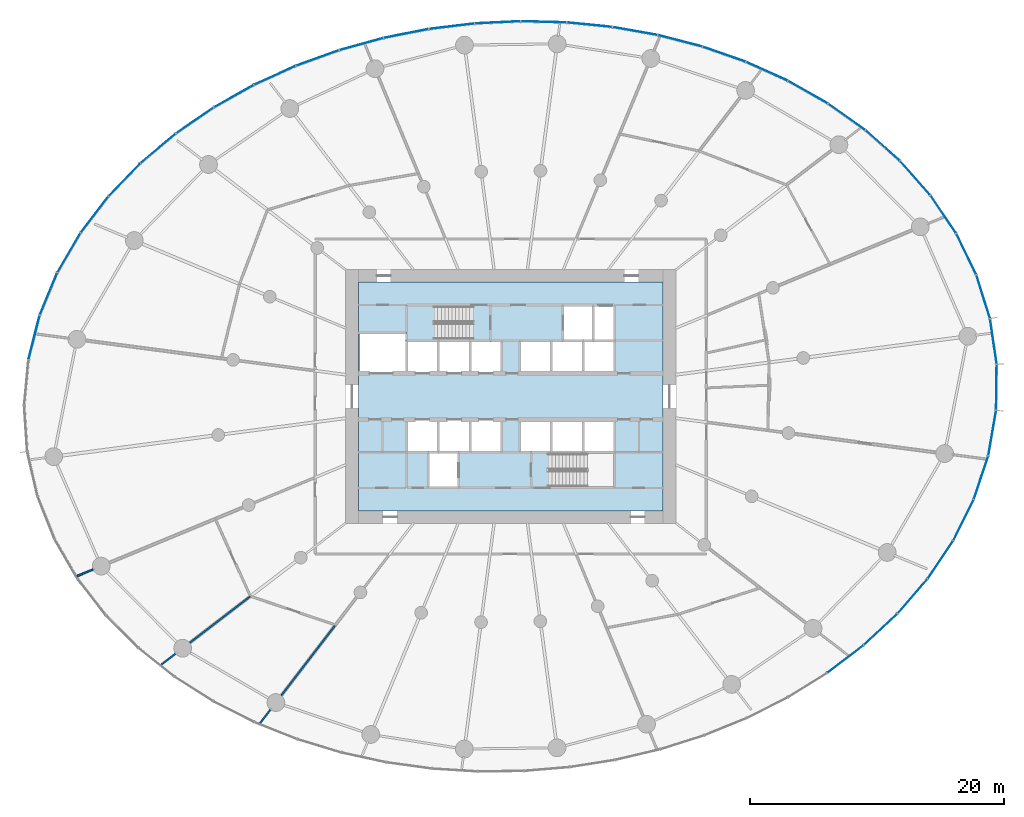
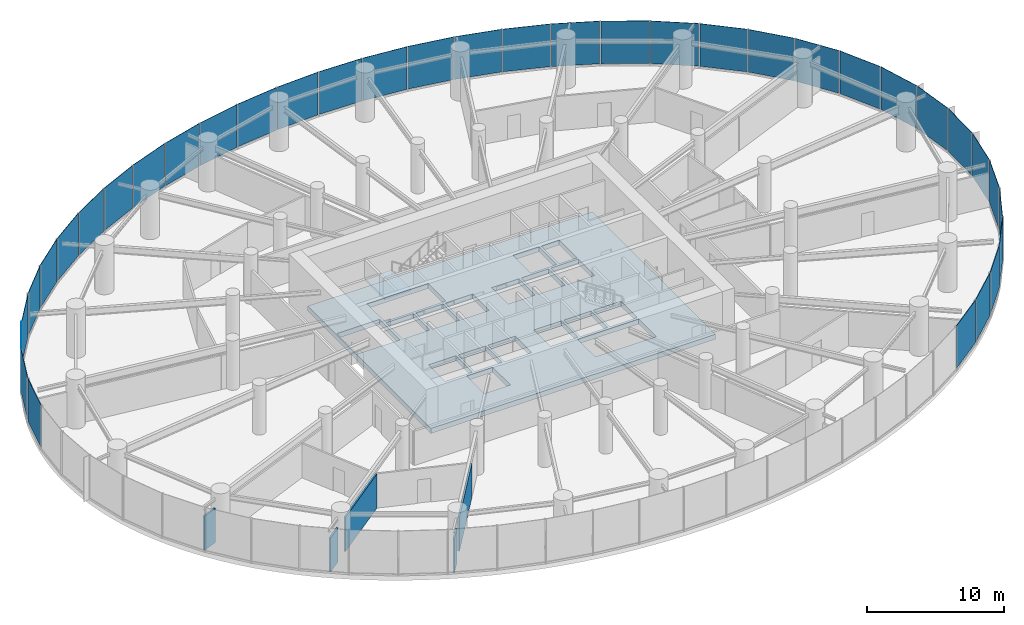
# One storey, part 11 of 19: 36 plates, 5 walls, 2 slabs, 8 elements without a shape of their own.
"""IFC4 building model written with IfcOpenShell, lengths in metres."""

from ifc_helpers import new_model, si_unit, direction, frame, frame_2d, origin, origin_2d, place, context, subcontext, project, spatial, line, indexed_curve, rectangle, outline, extrude, source, transform, mapped, material, layer, layer_set, type_object, element, aggregate, save


model = new_model("IFC4")

# Units and contexts
model_context = context("Model", 3, precision=1e-05, world=origin(), true_north=direction((0.0, 1.0)))
body_context = subcontext(model_context, "Body", "Model", "MODEL_VIEW")
ifc_project = project(units=[si_unit("LENGTHUNIT", "METRE"), si_unit("AREAUNIT", "SQUARE_METRE"), si_unit("VOLUMEUNIT", "CUBIC_METRE"), si_unit("PLANEANGLEUNIT", "RADIAN"), si_unit("MASSUNIT", "GRAM", prefix="KILO")], contexts=[model_context])

# Site, building, storey
site_placement = place(None, origin())
site = spatial("IfcSite", under=ifc_project, at=site_placement, CompositionType="ELEMENT")
building_placement = place(site_placement, origin())
building = spatial("IfcBuilding", under=site, at=building_placement, Name="Spindrift Exchange Tower", CompositionType="ELEMENT")
storey_placement = place(building_placement, frame((0.0, 0.0, 31.39990234375)))
storey = spatial("IfcBuildingStorey", under=building, at=storey_placement, Name="L07", CompositionType="ELEMENT", Elevation=31.39990234375)

# Slab
ifc_material_1 = material(Name="Concrete 50 MPa", Category="concrete")
ifc_layer_1 = layer(ifc_material_1, 0.449951171875)
ifc_layer_set_1 = layer_set([ifc_layer_1], Name="SL-CORE-FLOOR-450")
slab_type_1 = type_object("IfcSlabType", Name="SL-CORE-FLOOR-450", PredefinedType="FLOOR", material=ifc_layer_set_1)
slab_1_placement = place(storey_placement, frame((0.0, 0.0, -0.449951171875)))
element("IfcSlab", 1, at=slab_1_placement, inside=storey, type_object=slab_type_1, Name="L07 Core floor slab", PredefinedType="FLOOR", context=body_context, shape_type="SweptSolid", body=[
    extrude(outline(indexed_curve([(40.0, 39.0), (40.0, 57.0), (64.0, 57.0), (64.0, 39.0)], segments=[line(1, 2, 3, 4, 1)], self_intersect=False), holes=[indexed_curve([(47.800048828125, 43.5), (45.60009765625, 43.5), (45.60009765625, 40.89990234375), (47.800048828125, 40.89990234375)], segments=[line(1, 2, 3, 4, 1)], self_intersect=False), indexed_curve([(46.199951171875, 46.10009765625), (43.89990234375, 46.10009765625), (43.89990234375, 43.699951171875), (46.199951171875, 43.699951171875)], segments=[line(1, 2, 3, 4, 1)], self_intersect=False), indexed_curve([(48.699951171875, 46.10009765625), (46.39990234375, 46.10009765625), (46.39990234375, 43.699951171875), (48.699951171875, 43.699951171875)], segments=[line(1, 2, 3, 4, 1)], self_intersect=False), indexed_curve([(51.199951171875, 46.10009765625), (48.89990234375, 46.10009765625), (48.89990234375, 43.699951171875), (51.199951171875, 43.699951171875)], segments=[line(1, 2, 3, 4, 1)], self_intersect=False), indexed_curve([(46.199951171875, 52.300048828125), (43.89990234375, 52.300048828125), (43.89990234375, 49.89990234375), (46.199951171875, 49.89990234375)], segments=[line(1, 2, 3, 4, 1)], self_intersect=False), indexed_curve([(48.699951171875, 52.300048828125), (46.39990234375, 52.300048828125), (46.39990234375, 49.89990234375), (48.699951171875, 49.89990234375)], segments=[line(1, 2, 3, 4, 1)], self_intersect=False), indexed_curve([(51.199951171875, 52.300048828125), (48.89990234375, 52.300048828125), (48.89990234375, 49.89990234375), (51.199951171875, 49.89990234375)], segments=[line(1, 2, 3, 4, 1)], self_intersect=False), indexed_curve([(43.699951171875, 49.89990234375), (43.699951171875, 52.89990234375), (40.10009765625, 52.89990234375), (40.10009765625, 49.89990234375)], segments=[line(1, 2, 3, 4, 1)], self_intersect=False), indexed_curve([(49.0439453125, 55.093994140625), (43.906005859375, 55.093994140625), (43.906005859375, 52.506103515625), (49.0439453125, 52.506103515625)], segments=[line(1, 2, 3, 4, 1)], self_intersect=False), indexed_curve([(60.093994140625, 40.906005859375), (60.093994140625, 43.493896484375), (54.9560546875, 43.493896484375), (54.9560546875, 40.906005859375)], segments=[line(1, 2, 3, 4, 1)], self_intersect=False), indexed_curve([(55.10009765625, 46.10009765625), (52.800048828125, 46.10009765625), (52.800048828125, 43.699951171875), (55.10009765625, 43.699951171875)], segments=[line(1, 2, 3, 4, 1)], self_intersect=False), indexed_curve([(57.60009765625, 46.10009765625), (55.300048828125, 46.10009765625), (55.300048828125, 43.699951171875), (57.60009765625, 43.699951171875)], segments=[line(1, 2, 3, 4, 1)], self_intersect=False), indexed_curve([(60.10009765625, 46.10009765625), (57.800048828125, 46.10009765625), (57.800048828125, 43.699951171875), (60.10009765625, 43.699951171875)], segments=[line(1, 2, 3, 4, 1)], self_intersect=False), indexed_curve([(55.10009765625, 52.300048828125), (52.800048828125, 52.300048828125), (52.800048828125, 49.89990234375), (55.10009765625, 49.89990234375)], segments=[line(1, 2, 3, 4, 1)], self_intersect=False), indexed_curve([(57.60009765625, 52.300048828125), (55.300048828125, 52.300048828125), (55.300048828125, 49.89990234375), (57.60009765625, 49.89990234375)], segments=[line(1, 2, 3, 4, 1)], self_intersect=False), indexed_curve([(60.10009765625, 52.300048828125), (57.800048828125, 52.300048828125), (57.800048828125, 49.89990234375), (60.10009765625, 49.89990234375)], segments=[line(1, 2, 3, 4, 1)], self_intersect=False), indexed_curve([(58.39990234375, 52.5), (58.39990234375, 55.10009765625), (56.199951171875, 55.10009765625), (56.199951171875, 52.5)], segments=[line(1, 2, 3, 4, 1)], self_intersect=False), indexed_curve([(60.10009765625, 52.5), (60.10009765625, 55.10009765625), (58.60009765625, 55.10009765625), (58.60009765625, 52.5)], segments=[line(1, 2, 3, 4, 1)], self_intersect=False)]), origin(), (0.0, 0.0, 1.0), 0.449951171875),
])

# Stair, slab
stair_type = type_object("IfcStairType", Name="ST-1250-R183", PredefinedType="HALF_TURN_STAIR", material=ifc_material_1)
stair_placement = place(storey_placement, origin())
stair = element("IfcStair", 2, at=stair_placement, inside=storey, type_object=stair_type, Name="L07 Exit stair ST1", PredefinedType="HALF_TURN_STAIR")
ifc_layer_2 = layer(ifc_material_1, 0.199951171875)
ifc_layer_set_2 = layer_set([ifc_layer_2], Name="SL-LANDING")
slab_type_2 = type_object("IfcSlabType", Name="SL-LANDING", PredefinedType="LANDING", material=ifc_layer_set_2)
slab_2_placement = place(storey_placement, frame((0.0, 0.0, 2.0)))
slab_2 = element("IfcSlab", 3, at=slab_2_placement, type_object=slab_type_2, Name="ST1 landing 1", PredefinedType="LANDING", context=body_context, shape_type="SweptSolid", body=[
    extrude(outline(indexed_curve([(46.050048828125, 52.39990234375), (43.800048828125, 52.39990234375), (43.800048828125, 55.199951171875), (46.050048828125, 55.199951171875)], segments=[line(1, 2, 3, 4, 1)], self_intersect=False)), origin(), (0.0, 0.0, 1.0), 0.2001953125),
])
aggregate(stair, [slab_2])

# Curtain wall, plates
ifc_material_2 = material(Name="Fritted laminated glass with bronze frame", Category="glass")
ifc_layer_3 = layer(ifc_material_2, 0.199951171875)
ifc_layer_set_3 = layer_set([ifc_layer_3], Name="ZONE 1 BRONZE FRITTED WALL")
curtain_wall_type = type_object("IfcCurtainWallType", Name="ZONE 1 BRONZE FRITTED WALL", PredefinedType="NOTDEFINED", material=ifc_layer_set_3)
curtain_wall_1_placement = place(storey_placement, origin())
curtain_wall_1 = element("IfcCurtainWall", 4, at=curtain_wall_1_placement, inside=storey, type_object=curtain_wall_type, Name="L07 Zone 1 Bronze Fritted Wall run 1", PredefinedType="NOTDEFINED")
ifc_material_3 = material(Name="Bronze fritted laminated glass, dense frit", Category="glass")
ifc_layer_4 = layer(ifc_material_3, 0.035888671875)
ifc_layer_set_4 = layer_set([ifc_layer_4], Name="ZONE 1 BRONZE FRITTED WALL PANEL DENSE FRIT 420")
plate_type_1 = type_object("IfcPlateType", Name="ZONE 1 BRONZE FRITTED WALL PANEL DENSE FRIT 420", PredefinedType="CURTAIN_PANEL", material=ifc_layer_set_4)
shared_shape_1 = source(origin(), body_context, "Body", "SweptSolid", [
    extrude(rectangle(XDim=3.544189453125, YDim=0.035888671875, at=origin_2d()), origin(), (0.0, 0.0, 1.0), 3.800048828125),
])
plate_1_placement = place(storey_placement, frame((90.003173828125, 52.323974609375, 0.14990234375), z_axis=(0.0, 0.0, 1.0), x_axis=(-0.145268021082, 0.989392339798, 0.0)))
plate_1 = element("IfcPlate", 5, at=plate_1_placement, type_object=plate_type_1, Name="L07 panel CW-1.1", PredefinedType="CURTAIN_PANEL", context=body_context, shape_type="MappedRepresentation", body=[
    mapped(shared_shape_1, transform((0.0, 0.0, 0.0), scale=1.0)),
])
shared_shape_2 = source(origin(), body_context, "Body", "SweptSolid", [
    extrude(rectangle(XDim=3.544677734375, YDim=0.035888671875, at=origin_2d()), origin(), (0.0, 0.0, 1.0), 3.800048828125),
])
plate_2_placement = place(storey_placement, frame((89.199462890625, 55.8466796875, 0.14990234375), z_axis=(0.0, 0.0, 1.0), x_axis=(-0.298267919189, 0.954482188615, 0.0)))
plate_2 = element("IfcPlate", 6, at=plate_2_placement, type_object=plate_type_1, Name="L07 panel CW-1.2", PredefinedType="CURTAIN_PANEL", context=body_context, shape_type="MappedRepresentation", body=[
    mapped(shared_shape_2, transform((0.0, 0.0, 0.0), scale=1.0)),
])

# Curtain wall, plate
curtain_wall_2_placement = place(storey_placement, origin())
curtain_wall_2 = element("IfcCurtainWall", 7, at=curtain_wall_2_placement, inside=storey, type_object=curtain_wall_type, Name="L07 Zone 1 Bronze Fritted Wall run 10", PredefinedType="NOTDEFINED")
plate_3_placement = place(storey_placement, frame((89.90869140625, 45.12109375, 0.14990234375), z_axis=(0.0, 0.0, 1.0), x_axis=(0.169948074273, 0.985453018693, 0.0)))
plate_3 = element("IfcPlate", 8, at=plate_3_placement, type_object=plate_type_1, Name="L07 panel CW-1.58", PredefinedType="CURTAIN_PANEL", context=body_context, shape_type="MappedRepresentation", body=[
    mapped(shared_shape_2, transform((0.0, 0.0, 0.0), scale=1.0)),
])

# Plate
ifc_layer_5 = layer(ifc_material_3, 0.035888671875)
ifc_layer_set_5 = layer_set([ifc_layer_5], Name="ZONE 1 BRONZE FRITTED WALL PANEL DENSE FRIT 180")
plate_type_2 = type_object("IfcPlateType", Name="ZONE 1 BRONZE FRITTED WALL PANEL DENSE FRIT 180", PredefinedType="CURTAIN_PANEL", material=ifc_layer_set_5)
shared_shape_3 = source(origin(), body_context, "Body", "SweptSolid", [
    extrude(rectangle(XDim=3.5458984375, YDim=0.035888671875, at=origin_2d()), origin(), (0.0, 0.0, 1.0), 3.800048828125),
])
plate_4_placement = place(storey_placement, frame((83.84033203125, 65.197509765625, 0.14990234375), z_axis=(0.0, 0.0, 1.0), x_axis=(-0.662655341187, 0.748924494723, 0.0)))
plate_4 = element("IfcPlate", 9, at=plate_4_placement, type_object=plate_type_2, Name="L07 panel CW-1.5", PredefinedType="CURTAIN_PANEL", context=body_context, shape_type="MappedRepresentation", body=[
    mapped(shared_shape_3, transform((0.0, 0.0, 0.0), scale=1.0)),
])

ifc_layer_6 = layer(ifc_material_3, 0.035888671875)
ifc_layer_set_6 = layer_set([ifc_layer_6], Name="ZONE 1 BRONZE FRITTED WALL PANEL DENSE FRIT 300")
plate_type_3 = type_object("IfcPlateType", Name="ZONE 1 BRONZE FRITTED WALL PANEL DENSE FRIT 300", PredefinedType="CURTAIN_PANEL", material=ifc_layer_set_6)
shared_shape_4 = source(origin(), body_context, "Body", "SweptSolid", [
    extrude(rectangle(XDim=3.54638671875, YDim=0.035888671875, at=origin_2d()), origin(), (0.0, 0.0, 1.0), 3.800048828125),
])
plate_5_placement = place(storey_placement, frame((81.284423828125, 67.76025390625, 0.14990234375), z_axis=(0.0, 0.0, 1.0), x_axis=(-0.747104738963, 0.664706332917, 0.0)))
plate_5 = element("IfcPlate", 10, at=plate_5_placement, type_object=plate_type_3, Name="L07 panel CW-1.6", PredefinedType="CURTAIN_PANEL", context=body_context, shape_type="MappedRepresentation", body=[
    mapped(shared_shape_4, transform((0.0, 0.0, 0.0), scale=1.0)),
])

# Curtain wall, plate
curtain_wall_3_placement = place(storey_placement, origin())
curtain_wall_3 = element("IfcCurtainWall", 11, at=curtain_wall_3_placement, inside=storey, type_object=curtain_wall_type, Name="L07 Zone 1 Bronze Fritted Wall run 4", PredefinedType="NOTDEFINED")
plate_6_placement = place(storey_placement, frame((21.587890625, 65.06982421875, 0.14990234375), z_axis=(0.0, 0.0, 1.0), x_axis=(-0.694321824554, -0.719664646865, 0.0)))
plate_6 = element("IfcPlate", 12, at=plate_6_placement, type_object=plate_type_3, Name="L07 panel CW-1.24", PredefinedType="CURTAIN_PANEL", context=body_context, shape_type="MappedRepresentation", body=[
    mapped(shared_shape_4, transform((0.0, 0.0, 0.0), scale=1.0)),
])

curtain_wall_4_placement = place(storey_placement, origin())
curtain_wall_4 = element("IfcCurtainWall", 13, at=curtain_wall_4_placement, inside=storey, type_object=curtain_wall_type, Name="L07 Zone 1 Bronze Fritted Wall run 2", PredefinedType="NOTDEFINED")
shared_shape_5 = source(origin(), body_context, "Body", "SweptSolid", [
    extrude(rectangle(XDim=3.547119140625, YDim=0.035888671875, at=origin_2d()), origin(), (0.0, 0.0, 1.0), 3.800048828125),
])
plate_7_placement = place(storey_placement, frame((72.167236328125, 73.603759765625, 0.14990234375), z_axis=(0.0, 0.0, 1.0), x_axis=(-0.911599249428, 0.411080051137, 0.0)))
plate_7 = element("IfcPlate", 14, at=plate_7_placement, type_object=plate_type_1, Name="L07 panel CW-1.9", PredefinedType="CURTAIN_PANEL", context=body_context, shape_type="MappedRepresentation", body=[
    mapped(shared_shape_5, transform((0.0, 0.0, 0.0), scale=1.0)),
])

# Plate
plate_8_placement = place(storey_placement, frame((30.196044921875, 71.646728515625, 0.14990234375), z_axis=(0.0, 0.0, 1.0), x_axis=(-0.872056460131, -0.489405282301, 0.0)))
plate_8 = element("IfcPlate", 15, at=plate_8_placement, type_object=plate_type_1, Name="L07 panel CW-1.21", PredefinedType="CURTAIN_PANEL", context=body_context, shape_type="MappedRepresentation", body=[
    mapped(shared_shape_5, transform((0.0, 0.0, 0.0), scale=1.0)),
])

plate_9_placement = place(storey_placement, frame((27.119384765625, 69.73291015625, 0.14990234375), z_axis=(0.0, 0.0, 1.0), x_axis=(-0.824457217137, -0.56592428567, 0.0)))
plate_9 = element("IfcPlate", 16, at=plate_9_placement, type_object=plate_type_1, Name="L07 panel CW-1.22", PredefinedType="CURTAIN_PANEL", context=body_context, shape_type="MappedRepresentation", body=[
    mapped(shared_shape_5, transform((0.0, 0.0, 0.0), scale=1.0)),
])

shared_shape_6 = source(origin(), body_context, "Body", "SweptSolid", [
    extrude(rectangle(XDim=3.547119140625, YDim=0.035888671875, at=origin_2d()), origin(), (0.0, 0.0, 1.0), 3.800048828125),
])
plate_10_placement = place(storey_placement, frame((68.80224609375, 74.947998046875, 0.14990234375), z_axis=(0.0, 0.0, 1.0), x_axis=(-0.943964086821, 0.33004818253, 0.0)))
plate_10 = element("IfcPlate", 17, at=plate_10_placement, type_object=plate_type_3, Name="L07 panel CW-1.10", PredefinedType="CURTAIN_PANEL", context=body_context, shape_type="MappedRepresentation", body=[
    mapped(shared_shape_6, transform((0.0, 0.0, 0.0), scale=1.0)),
])

plate_11_placement = place(storey_placement, frame((33.4287109375, 73.284912109375, 0.14990234375), z_axis=(0.0, 0.0, 1.0), x_axis=(-0.910331480947, -0.413879927994, 0.0)))
plate_11 = element("IfcPlate", 18, at=plate_11_placement, type_object=plate_type_3, Name="L07 panel CW-1.20", PredefinedType="CURTAIN_PANEL", context=body_context, shape_type="MappedRepresentation", body=[
    mapped(shared_shape_6, transform((0.0, 0.0, 0.0), scale=1.0)),
])

# Curtain wall, plates
curtain_wall_5_placement = place(storey_placement, origin())
curtain_wall_5 = element("IfcCurtainWall", 19, at=curtain_wall_5_placement, inside=storey, type_object=curtain_wall_type, Name="L07 Zone 1 Bronze Fritted Wall run 3", PredefinedType="NOTDEFINED")
shared_shape_7 = source(origin(), body_context, "Body", "SweptSolid", [
    extrude(rectangle(XDim=3.54736328125, YDim=0.035888671875, at=origin_2d()), origin(), (0.0, 0.0, 1.0), 3.800048828125),
])
plate_12_placement = place(storey_placement, frame((58.202880859375, 77.269775390625, 0.14990234375), z_axis=(0.0, 0.0, 1.0), x_axis=(-0.995073927573, 0.099135657888, 0.0)))
plate_12 = element("IfcPlate", 20, at=plate_12_placement, type_object=plate_type_3, Name="L07 panel CW-1.13", PredefinedType="CURTAIN_PANEL", context=body_context, shape_type="MappedRepresentation", body=[
    mapped(shared_shape_7, transform((0.0, 0.0, 0.0), scale=1.0)),
])
plate_13_placement = place(storey_placement, frame((50.960205078125, 77.454345703125, 0.14990234375), z_axis=(0.0, 0.0, 1.0), x_axis=(-0.998855409711, -0.047831689184, 0.0)))
plate_13 = element("IfcPlate", 21, at=plate_13_placement, type_object=plate_type_3, Name="L07 panel CW-1.15", PredefinedType="CURTAIN_PANEL", context=body_context, shape_type="MappedRepresentation", body=[
    mapped(shared_shape_7, transform((0.0, 0.0, 0.0), scale=1.0)),
])
plate_14_placement = place(storey_placement, frame((40.239990234375, 75.74853515625, 0.14990234375), z_axis=(0.0, 0.0, 1.0), x_axis=(-0.964016105729, -0.265843841184, 0.0)))
plate_14 = element("IfcPlate", 22, at=plate_14_placement, type_object=plate_type_3, Name="L07 panel CW-1.18", PredefinedType="CURTAIN_PANEL", context=body_context, shape_type="MappedRepresentation", body=[
    mapped(shared_shape_7, transform((0.0, 0.0, 0.0), scale=1.0)),
])

# Plate
shared_shape_8 = source(origin(), body_context, "Body", "SweptSolid", [
    extrude(rectangle(XDim=3.54736328125, YDim=0.035888671875, at=origin_2d()), origin(), (0.0, 0.0, 1.0), 3.800048828125),
])
plate_15_placement = place(storey_placement, frame((65.334716796875, 76.001953125, 0.14990234375), z_axis=(0.0, 0.0, 1.0), x_axis=(-0.967934035417, 0.2512045045, 0.0)))
plate_15 = element("IfcPlate", 23, at=plate_15_placement, type_object=plate_type_2, Name="L07 panel CW-1.11", PredefinedType="CURTAIN_PANEL", context=body_context, shape_type="MappedRepresentation", body=[
    mapped(shared_shape_8, transform((0.0, 0.0, 0.0), scale=1.0)),
])

shared_shape_9 = source(origin(), body_context, "Body", "SweptSolid", [
    extrude(rectangle(XDim=3.54736328125, YDim=0.035888671875, at=origin_2d()), origin(), (0.0, 0.0, 1.0), 3.800048828125),
])
plate_16_placement = place(storey_placement, frame((61.79345703125, 76.773681640625, 0.14990234375), z_axis=(0.0, 0.0, 1.0), x_axis=(-0.98468445804, 0.174345972407, 0.0)))
plate_16 = element("IfcPlate", 24, at=plate_16_placement, type_object=plate_type_1, Name="L07 panel CW-1.12", PredefinedType="CURTAIN_PANEL", context=body_context, shape_type="MappedRepresentation", body=[
    mapped(shared_shape_9, transform((0.0, 0.0, 0.0), scale=1.0)),
])

plate_17_placement = place(storey_placement, frame((43.767822265625, 76.580810546875, 0.14990234375), z_axis=(0.0, 0.0, 1.0), x_axis=(-0.981203515269, -0.192975805797, 0.0)))
plate_17 = element("IfcPlate", 25, at=plate_17_placement, type_object=plate_type_1, Name="L07 panel CW-1.17", PredefinedType="CURTAIN_PANEL", context=body_context, shape_type="MappedRepresentation", body=[
    mapped(shared_shape_9, transform((0.0, 0.0, 0.0), scale=1.0)),
])

plate_18_placement = place(storey_placement, frame((36.785400390625, 74.65087890625, 0.14990234375), z_axis=(0.0, 0.0, 1.0), x_axis=(-0.940651756385, -0.339373353711, 0.0)))
plate_18 = element("IfcPlate", 26, at=plate_18_placement, type_object=plate_type_1, Name="L07 panel CW-1.19", PredefinedType="CURTAIN_PANEL", context=body_context, shape_type="MappedRepresentation", body=[
    mapped(shared_shape_9, transform((0.0, 0.0, 0.0), scale=1.0)),
])

# Curtain wall, plate
curtain_wall_6_placement = place(storey_placement, origin())
curtain_wall_6 = element("IfcCurtainWall", 27, at=curtain_wall_6_placement, inside=storey, type_object=curtain_wall_type, Name="L07 Zone 1 Bronze Fritted Wall run 9", PredefinedType="NOTDEFINED")
shared_shape_10 = source(origin(), body_context, "Body", "SweptSolid", [
    extrude(rectangle(XDim=3.546875, YDim=0.035888671875, at=origin_2d()), origin(), (0.0, 0.0, 1.0), 3.800048828125),
])
plate_19_placement = place(storey_placement, frame((78.34912109375, 27.328369140625, 0.14990234375), z_axis=(0.0, 0.0, 1.0), x_axis=(0.796649142903, 0.604442009718, 0.0)))
plate_19 = element("IfcPlate", 28, at=plate_19_placement, type_object=plate_type_1, Name="L07 panel CW-1.52", PredefinedType="CURTAIN_PANEL", context=body_context, shape_type="MappedRepresentation", body=[
    mapped(shared_shape_10, transform((0.0, 0.0, 0.0), scale=1.0)),
])

curtain_wall_7_placement = place(storey_placement, origin())
curtain_wall_7 = element("IfcCurtainWall", 29, at=curtain_wall_7_placement, inside=storey, type_object=curtain_wall_type, Name="L07 Zone 1 Bronze Fritted Wall run 5", PredefinedType="NOTDEFINED")
shared_shape_11 = source(origin(), body_context, "Body", "SweptSolid", [
    extrude(rectangle(XDim=3.545654296875, YDim=0.035888671875, at=origin_2d()), origin(), (0.0, 0.0, 1.0), 3.800048828125),
])
plate_20_placement = place(storey_placement, frame((17.2109375, 59.31982421875, 0.14990234375), z_axis=(0.0, 0.0, 1.0), x_axis=(-0.504291020084, -0.863533767182, 0.0)))
plate_20 = element("IfcPlate", 30, at=plate_20_placement, type_object=plate_type_2, Name="L07 panel CW-1.26", PredefinedType="CURTAIN_PANEL", context=body_context, shape_type="MappedRepresentation", body=[
    mapped(shared_shape_11, transform((0.0, 0.0, 0.0), scale=1.0)),
])

# Plate
shared_shape_12 = source(origin(), body_context, "Body", "SweptSolid", [
    extrude(rectangle(XDim=3.54443359375, YDim=0.035888671875, at=origin_2d()), origin(), (0.0, 0.0, 1.0), 3.800048828125),
])
plate_21_placement = place(storey_placement, frame((90.24169921875, 48.718994140625, 0.14990234375), z_axis=(0.0, 0.0, 1.0), x_axis=(0.013684699504, 0.999906360116, 0.0)))
plate_21 = element("IfcPlate", 31, at=plate_21_placement, type_object=plate_type_2, Name="L07 panel CW-1.59", PredefinedType="CURTAIN_PANEL", context=body_context, shape_type="MappedRepresentation", body=[
    mapped(shared_shape_12, transform((0.0, 0.0, 0.0), scale=1.0)),
])

shared_shape_13 = source(origin(), body_context, "Body", "SweptSolid", [
    extrude(rectangle(XDim=3.544921875, YDim=0.035888671875, at=origin_2d()), origin(), (0.0, 0.0, 1.0), 3.800048828125),
])
plate_22_placement = place(storey_placement, frame((87.864990234375, 59.2060546875, 0.14990234375), z_axis=(0.0, 0.0, 1.0), x_axis=(-0.437898910165, 0.899024217959, 0.0)))
plate_22 = element("IfcPlate", 32, at=plate_22_placement, type_object=plate_type_1, Name="L07 panel CW-1.3", PredefinedType="CURTAIN_PANEL", context=body_context, shape_type="MappedRepresentation", body=[
    mapped(shared_shape_13, transform((0.0, 0.0, 0.0), scale=1.0)),
])

plate_23_placement = place(storey_placement, frame((14.46533203125, 52.648193359375, 0.14990234375), z_axis=(0.0, 0.0, 1.0), x_axis=(-0.244534063323, -0.969640702464, 0.0)))
plate_23 = element("IfcPlate", 33, at=plate_23_placement, type_object=plate_type_1, Name="L07 panel CW-1.28", PredefinedType="CURTAIN_PANEL", context=body_context, shape_type="MappedRepresentation", body=[
    mapped(shared_shape_13, transform((0.0, 0.0, 0.0), scale=1.0)),
])

shared_shape_14 = source(origin(), body_context, "Body", "SweptSolid", [
    extrude(rectangle(XDim=3.54638671875, YDim=0.035888671875, at=origin_2d()), origin(), (0.0, 0.0, 1.0), 3.800048828125),
])
plate_24_placement = place(storey_placement, frame((81.120849609375, 29.66015625, 0.14990234375), z_axis=(0.0, 0.0, 1.0), x_axis=(0.731834405692, 0.68148250355, 0.0)))
plate_24 = element("IfcPlate", 34, at=plate_24_placement, type_object=plate_type_2, Name="L07 panel CW-1.53", PredefinedType="CURTAIN_PANEL", context=body_context, shape_type="MappedRepresentation", body=[
    mapped(shared_shape_14, transform((0.0, 0.0, 0.0), scale=1.0)),
])

plate_25_placement = place(storey_placement, frame((83.6318359375, 32.268798828125, 0.14990234375), z_axis=(0.0, 0.0, 1.0), x_axis=(0.653063805936, 0.757302888794, 0.0)))
plate_25 = element("IfcPlate", 35, at=plate_25_placement, type_object=plate_type_2, Name="L07 panel CW-1.54", PredefinedType="CURTAIN_PANEL", context=body_context, shape_type="MappedRepresentation", body=[
    mapped(shared_shape_14, transform((0.0, 0.0, 0.0), scale=1.0)),
])

aggregate(curtain_wall_6, [plate_19, plate_24, plate_25])

shared_shape_15 = source(origin(), body_context, "Body", "SweptSolid", [
    extrude(rectangle(XDim=3.546875, YDim=0.035888671875, at=origin_2d()), origin(), (0.0, 0.0, 1.0), 3.800048828125),
])
plate_26_placement = place(storey_placement, frame((75.39697265625, 71.9619140625, 0.14990234375), z_axis=(0.0, 0.0, 1.0), x_axis=(-0.869310381347, 0.49426658888, 0.0)))
plate_26 = element("IfcPlate", 36, at=plate_26_placement, type_object=plate_type_2, Name="L07 panel CW-1.8", PredefinedType="CURTAIN_PANEL", context=body_context, shape_type="MappedRepresentation", body=[
    mapped(shared_shape_15, transform((0.0, 0.0, 0.0), scale=1.0)),
])

shared_shape_16 = source(origin(), body_context, "Body", "SweptSolid", [
    extrude(rectangle(XDim=3.5458984375, YDim=0.035888671875, at=origin_2d()), origin(), (0.0, 0.0, 1.0), 3.800048828125),
])
plate_27_placement = place(storey_placement, frame((85.827880859375, 35.146240234375, 0.14990234375), z_axis=(0.0, 0.0, 1.0), x_axis=(0.558221621116, 0.829691883604, 0.0)))
plate_27 = element("IfcPlate", 37, at=plate_27_placement, type_object=plate_type_3, Name="L07 panel CW-1.55", PredefinedType="CURTAIN_PANEL", context=body_context, shape_type="MappedRepresentation", body=[
    mapped(shared_shape_16, transform((0.0, 0.0, 0.0), scale=1.0)),
])

shared_shape_17 = source(origin(), body_context, "Body", "SweptSolid", [
    extrude(rectangle(XDim=3.54541015625, YDim=0.035888671875, at=origin_2d()), origin(), (0.0, 0.0, 1.0), 3.800048828125),
])
plate_28_placement = place(storey_placement, frame((87.648193359375, 38.27294921875, 0.14990234375), z_axis=(0.0, 0.0, 1.0), x_axis=(0.445844776551, 0.895110292211, 0.0)))
plate_28 = element("IfcPlate", 38, at=plate_28_placement, type_object=plate_type_3, Name="L07 panel CW-1.56", PredefinedType="CURTAIN_PANEL", context=body_context, shape_type="MappedRepresentation", body=[
    mapped(shared_shape_17, transform((0.0, 0.0, 0.0), scale=1.0)),
])

shared_shape_18 = source(origin(), body_context, "Body", "SweptSolid", [
    extrude(rectangle(XDim=3.54541015625, YDim=0.035888671875, at=origin_2d()), origin(), (0.0, 0.0, 1.0), 3.800048828125),
])
plate_29_placement = place(storey_placement, frame((86.056640625, 62.337646484375, 0.14990234375), z_axis=(0.0, 0.0, 1.0), x_axis=(-0.559851086383, 0.828593242234, 0.0)))
plate_29 = element("IfcPlate", 39, at=plate_29_placement, type_object=plate_type_1, Name="L07 panel CW-1.4", PredefinedType="CURTAIN_PANEL", context=body_context, shape_type="MappedRepresentation", body=[
    mapped(shared_shape_18, transform((0.0, 0.0, 0.0), scale=1.0)),
])

aggregate(curtain_wall_1, [plate_1, plate_2, plate_22, plate_29, plate_4, plate_5])

shared_shape_19 = source(origin(), body_context, "Body", "SweptSolid", [
    extrude(rectangle(XDim=3.54638671875, YDim=0.035888671875, at=origin_2d()), origin(), (0.0, 0.0, 1.0), 3.800048828125),
])
plate_30_placement = place(storey_placement, frame((78.451416015625, 70.015625, 0.14990234375), z_axis=(0.0, 0.0, 1.0), x_axis=(-0.815242026985, 0.579120399776, 0.0)))
plate_30 = element("IfcPlate", 40, at=plate_30_placement, type_object=plate_type_1, Name="L07 panel CW-1.7", PredefinedType="CURTAIN_PANEL", context=body_context, shape_type="MappedRepresentation", body=[
    mapped(shared_shape_19, transform((0.0, 0.0, 0.0), scale=1.0)),
])

aggregate(curtain_wall_4, [plate_30, plate_26, plate_7, plate_10, plate_15, plate_16])

shared_shape_20 = source(origin(), body_context, "Body", "SweptSolid", [
    extrude(rectangle(XDim=3.547607421875, YDim=0.035888671875, at=origin_2d()), origin(), (0.0, 0.0, 1.0), 3.800048828125),
])
plate_31_placement = place(storey_placement, frame((54.5849609375, 77.495361328125, 0.14990234375), z_axis=(0.0, 0.0, 1.0), x_axis=(-0.999681816388, 0.025224313347, 0.0)))
plate_31 = element("IfcPlate", 41, at=plate_31_placement, type_object=plate_type_2, Name="L07 panel CW-1.14", PredefinedType="CURTAIN_PANEL", context=body_context, shape_type="MappedRepresentation", body=[
    mapped(shared_shape_20, transform((0.0, 0.0, 0.0), scale=1.0)),
])

plate_32_placement = place(storey_placement, frame((47.34814453125, 77.149169921875, 0.14990234375), z_axis=(0.0, 0.0, 1.0), x_axis=(-0.992723754687, -0.120414064295, 0.0)))
plate_32 = element("IfcPlate", 42, at=plate_32_placement, type_object=plate_type_2, Name="L07 panel CW-1.16", PredefinedType="CURTAIN_PANEL", context=body_context, shape_type="MappedRepresentation", body=[
    mapped(shared_shape_20, transform((0.0, 0.0, 0.0), scale=1.0)),
])

aggregate(curtain_wall_5, [plate_12, plate_31, plate_13, plate_32, plate_17, plate_14])

shared_shape_21 = source(origin(), body_context, "Body", "SweptSolid", [
    extrude(rectangle(XDim=3.546630859375, YDim=0.035888671875, at=origin_2d()), origin(), (0.0, 0.0, 1.0), 3.800048828125),
])
plate_33_placement = place(storey_placement, frame((24.235595703125, 67.54052734375, 0.14990234375), z_axis=(0.0, 0.0, 1.0), x_axis=(-0.765868279827, -0.642997494517, 0.0)))
plate_33 = element("IfcPlate", 43, at=plate_33_placement, type_object=plate_type_3, Name="L07 panel CW-1.23", PredefinedType="CURTAIN_PANEL", context=body_context, shape_type="MappedRepresentation", body=[
    mapped(shared_shape_21, transform((0.0, 0.0, 0.0), scale=1.0)),
])

aggregate(curtain_wall_3, [plate_18, plate_11, plate_8, plate_9, plate_33, plate_6])

shared_shape_22 = source(origin(), body_context, "Body", "SweptSolid", [
    extrude(rectangle(XDim=3.546142578125, YDim=0.035888671875, at=origin_2d()), origin(), (0.0, 0.0, 1.0), 3.800048828125),
])
plate_34_placement = place(storey_placement, frame((19.22705078125, 62.3251953125, 0.14990234375), z_axis=(0.0, 0.0, 1.0), x_axis=(-0.607768149384, -0.794114523601, 0.0)))
plate_34 = element("IfcPlate", 44, at=plate_34_placement, type_object=plate_type_2, Name="L07 panel CW-1.25", PredefinedType="CURTAIN_PANEL", context=body_context, shape_type="MappedRepresentation", body=[
    mapped(shared_shape_22, transform((0.0, 0.0, 0.0), scale=1.0)),
])

shared_shape_23 = source(origin(), body_context, "Body", "SweptSolid", [
    extrude(rectangle(XDim=3.545166015625, YDim=0.035888671875, at=origin_2d()), origin(), (0.0, 0.0, 1.0), 3.800048828125),
])
plate_35_placement = place(storey_placement, frame((15.602783203125, 56.080078125, 0.14990234375), z_axis=(0.0, 0.0, 1.0), x_axis=(-0.382904330358, -0.923788002625, 0.0)))
plate_35 = element("IfcPlate", 45, at=plate_35_placement, type_object=plate_type_1, Name="L07 panel CW-1.27", PredefinedType="CURTAIN_PANEL", context=body_context, shape_type="MappedRepresentation", body=[
    mapped(shared_shape_23, transform((0.0, 0.0, 0.0), scale=1.0)),
])

aggregate(curtain_wall_7, [plate_34, plate_20, plate_35, plate_23])

shared_shape_24 = source(origin(), body_context, "Body", "SweptSolid", [
    extrude(rectangle(XDim=3.544921875, YDim=0.035888671875, at=origin_2d()), origin(), (0.0, 0.0, 1.0), 3.800048828125),
])
plate_36_placement = place(storey_placement, frame((89.028564453125, 41.615234375, 0.14990234375), z_axis=(0.0, 0.0, 1.0), x_axis=(0.315698719546, 0.948859482999, 0.0)))
plate_36 = element("IfcPlate", 46, at=plate_36_placement, type_object=plate_type_3, Name="L07 panel CW-1.57", PredefinedType="CURTAIN_PANEL", context=body_context, shape_type="MappedRepresentation", body=[
    mapped(shared_shape_24, transform((0.0, 0.0, 0.0), scale=1.0)),
])

aggregate(curtain_wall_2, [plate_27, plate_28, plate_36, plate_3, plate_21])

# Walls
ifc_material_4 = material(Name="Fire-rated plasterboard partition", Category="gypsum")
ifc_layer_7 = layer(ifc_material_4, 0.139892578125)
ifc_layer_set_7 = layer_set([ifc_layer_7], Name="W-PART-140")
wall_type = type_object("IfcWallType", Name="W-PART-140", PredefinedType="PARTITIONING", material=ifc_layer_set_7)
wall_1_placement = place(storey_placement, frame((38.147705078125, 29.947265625, 0.0), z_axis=(0.0, 0.0, 1.0), x_axis=(-0.608772297796, -0.793345000259, 0.0)))
element("IfcWall", 47, at=wall_1_placement, inside=storey, type_object=wall_type, Name="L07 Partition wall 73", PredefinedType="PARTITIONING", context=body_context, shape_type="SweptSolid", body=[
    extrude(rectangle(XDim=6.91796875, YDim=0.139892578125, at=frame_2d((3.458984375, 0.0))), origin(), (0.0, 0.0, 1.0), 3.050048828125),
])
wall_2_placement = place(storey_placement, frame((31.47802734375, 32.2529296875, 0.0), z_axis=(0.0, 0.0, 1.0), x_axis=(-0.793362398318, -0.608749624177, 0.0)))
element("IfcWall", 48, at=wall_2_placement, inside=storey, type_object=wall_type, Name="L07 Partition wall 80", PredefinedType="PARTITIONING", context=body_context, shape_type="SweptSolid", body=[
    extrude(rectangle(XDim=5.993408203125, YDim=0.139892578125, at=frame_2d((2.99658203125, 0.0))), origin(), (0.0, 0.0, 1.0), 3.050048828125),
])
wall_3_placement = place(storey_placement, frame((25.605712890625, 27.746826171875, 0.0), z_axis=(0.0, 0.0, 1.0), x_axis=(-0.793328341426, -0.608794006779, 0.0)))
element("IfcWall", 49, at=wall_3_placement, inside=storey, type_object=wall_type, Name="L07 Partition wall 114", PredefinedType="PARTITIONING", context=body_context, shape_type="SweptSolid", body=[
    extrude(rectangle(XDim=1.442138671875, YDim=0.139892578125, at=frame_2d((0.72119140625, 0.0))), origin(), (0.0, 0.0, 1.0), 3.050048828125),
])
wall_4_placement = place(storey_placement, frame((33.0791015625, 23.341552734375, 0.0), z_axis=(0.0, 0.0, 1.0), x_axis=(-0.608845512284, -0.793288813845, 0.0)))
element("IfcWall", 50, at=wall_4_placement, inside=storey, type_object=wall_type, Name="L07 Partition wall 118", PredefinedType="PARTITIONING", context=body_context, shape_type="SweptSolid", body=[
    extrude(rectangle(XDim=1.3369140625, YDim=0.139892578125, at=frame_2d((0.66845703125, 0.0))), origin(), (0.0, 0.0, 1.0), 3.050048828125),
])
wall_5_placement = place(storey_placement, frame((19.099853515625, 34.372314453125, 0.0), z_axis=(0.0, 0.0, 1.0), x_axis=(-0.923887406181, -0.382664423091, 0.0)))
element("IfcWall", 51, at=wall_5_placement, inside=storey, type_object=wall_type, Name="L07 Partition wall 120", PredefinedType="PARTITIONING", context=body_context, shape_type="SweptSolid", body=[
    extrude(rectangle(XDim=1.33349609375, YDim=0.139892578125, at=frame_2d((0.666748046875, 0.0))), origin(), (0.0, 0.0, 1.0), 3.050048828125),
])

save(model, "model.ifc")
